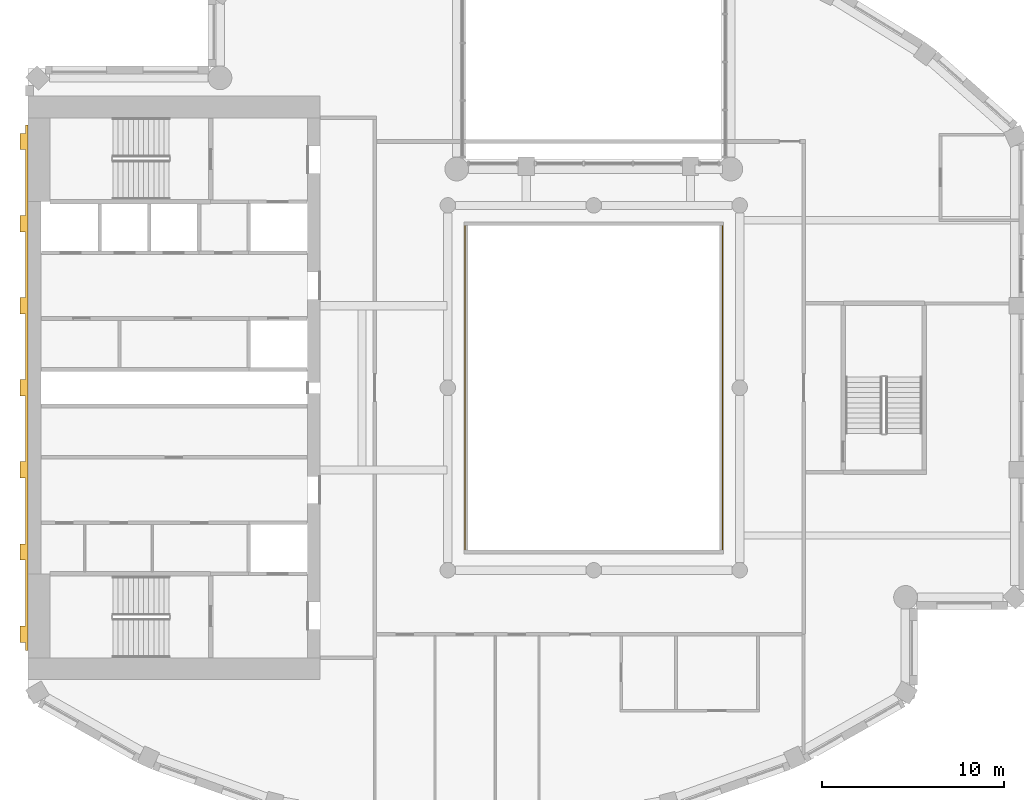
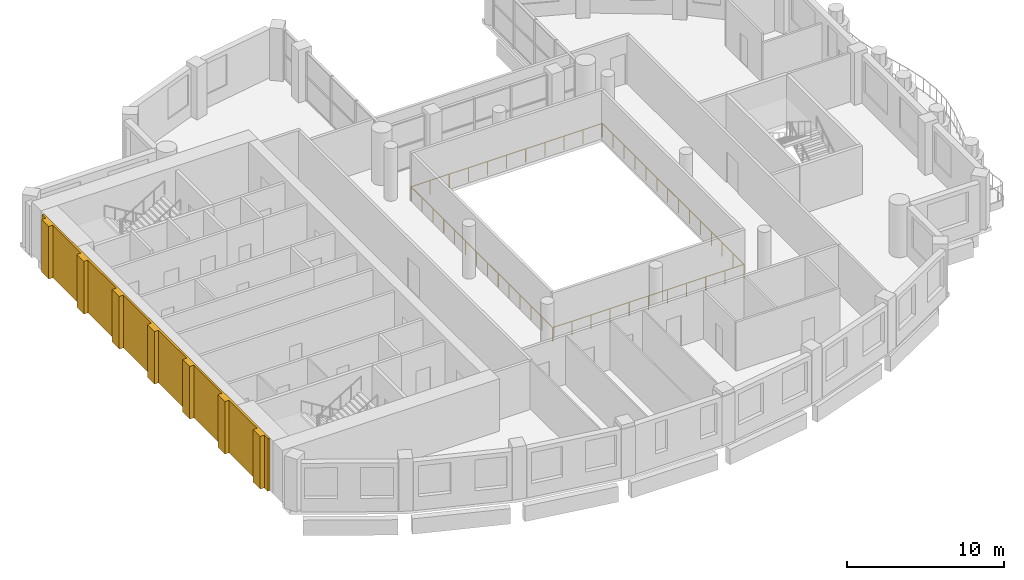
# One storey, part 11 of 14: 1 covering, 1 railing.
"""IFC4 building model written with IfcOpenShell, lengths in metres."""

from ifc_helpers import new_model, si_unit, direction, frame, origin, origin_2d, place, context, subcontext, project, spatial, polyline, rectangle, outline, extrude, material, layer, layer_set, type_object, element, save


model = new_model("IFC4")

# Units and contexts
model_context = context("Model", 3, precision=1e-05, world=origin(), true_north=direction((0.0, 1.0)))
body_context = subcontext(model_context, "Body", "Model", "MODEL_VIEW")
ifc_project = project(units=[si_unit("LENGTHUNIT", "METRE"), si_unit("AREAUNIT", "SQUARE_METRE"), si_unit("VOLUMEUNIT", "CUBIC_METRE"), si_unit("PLANEANGLEUNIT", "RADIAN"), si_unit("MASSUNIT", "GRAM", prefix="KILO")], contexts=[model_context])

# Site, building, storey
site_placement = place(None, origin())
site = spatial("IfcSite", under=ifc_project, at=site_placement, CompositionType="ELEMENT")
building_placement = place(site_placement, origin())
building = spatial("IfcBuilding", under=site, at=building_placement, Name="Cypress Arch Tower", CompositionType="ELEMENT")
storey_placement = place(building_placement, frame((0.0, 0.0, 255.699951171875)))
storey = spatial("IfcBuildingStorey", under=building, at=storey_placement, Name="L57", CompositionType="ELEMENT", Elevation=255.699951171875)

# Railing
ifc_material_1 = material(Name="Stainless steel posts and handrail, laminated glass infill", Category="steel")
railing_type = type_object("IfcRailingType", Name="Atrium guard GR1100A", PredefinedType="GUARDRAIL", material=ifc_material_1)
railing_placement = place(storey_placement, frame((8.050048828125, -9.050048828125, 0.0)))
element("IfcRailing", 1, at=railing_placement, inside=storey, type_object=railing_type, Name="Atrium guard L57", PredefinedType="GUARDRAIL", context=body_context, shape_type="SweptSolid", body=[
    extrude(rectangle(XDim=0.050048828125, YDim=0.050048828125, at=origin_2d()), frame((0.0, 0.0, 1.0751953125), z_axis=(-1.0, 0.0, 0.0), x_axis=(0.0, -1.0, 0.0)), (0.0, 0.0, 1.0), 14.10009765625),
    extrude(rectangle(XDim=0.050048828125, YDim=0.050048828125, at=origin_2d()), frame((-14.10009765625, 0.0, 1.0751953125), z_axis=(0.0, 1.0, 0.0), x_axis=(-1.0, 0.0, 0.0)), (0.0, 0.0, 1.0), 18.10009765625),
    extrude(rectangle(XDim=0.050048828125, YDim=0.050048828125, at=origin_2d()), frame((-14.10009765625, 18.10009765625, 1.0751953125), z_axis=(1.0, 0.0, 0.0), x_axis=(0.0, 1.0, 0.0)), (0.0, 0.0, 1.0), 14.10009765625),
    extrude(rectangle(XDim=0.050048828125, YDim=0.050048828125, at=origin_2d()), frame((0.0, 18.10009765625, 1.0751953125), z_axis=(0.0, -1.0, 0.0), x_axis=(1.0, 0.0, 0.0)), (0.0, 0.0, 1.0), 18.10009765625),
    extrude(rectangle(XDim=0.050048828125, YDim=0.050048828125, at=origin_2d()), origin(), (0.0, 0.0, 1.0), 1.050048828125),
    extrude(rectangle(XDim=0.050048828125, YDim=0.050048828125, at=origin_2d()), frame((-1.409912109375, 0.0, 0.0)), (0.0, 0.0, 1.0), 1.050048828125),
    extrude(rectangle(XDim=0.050048828125, YDim=0.050048828125, at=origin_2d()), frame((-2.820068359375, 0.0, 0.0)), (0.0, 0.0, 1.0), 1.050048828125),
    extrude(rectangle(XDim=0.050048828125, YDim=0.050048828125, at=origin_2d()), frame((-4.22998046875, 0.0, 0.0)), (0.0, 0.0, 1.0), 1.050048828125),
    extrude(rectangle(XDim=0.050048828125, YDim=0.050048828125, at=origin_2d()), frame((-5.64013671875, 0.0, 0.0)), (0.0, 0.0, 1.0), 1.050048828125),
    extrude(rectangle(XDim=0.050048828125, YDim=0.050048828125, at=origin_2d()), frame((-7.050048828125, 0.0, 0.0)), (0.0, 0.0, 1.0), 1.050048828125),
    extrude(rectangle(XDim=0.050048828125, YDim=0.050048828125, at=origin_2d()), frame((-8.4599609375, 0.0, 0.0)), (0.0, 0.0, 1.0), 1.050048828125),
    extrude(rectangle(XDim=0.050048828125, YDim=0.050048828125, at=origin_2d()), frame((-9.8701171875, 0.0, 0.0)), (0.0, 0.0, 1.0), 1.050048828125),
    extrude(rectangle(XDim=0.050048828125, YDim=0.050048828125, at=origin_2d()), frame((-11.280029296875, 0.0, 0.0)), (0.0, 0.0, 1.0), 1.050048828125),
    extrude(rectangle(XDim=0.050048828125, YDim=0.050048828125, at=origin_2d()), frame((-12.690185546875, 0.0, 0.0)), (0.0, 0.0, 1.0), 1.050048828125),
    extrude(rectangle(XDim=0.050048828125, YDim=0.050048828125, at=origin_2d()), frame((-14.10009765625, 0.0, 0.0)), (0.0, 0.0, 1.0), 1.050048828125),
    extrude(rectangle(XDim=0.050048828125, YDim=0.050048828125, at=origin_2d()), frame((-14.10009765625, 1.392333984375, 0.0)), (0.0, 0.0, 1.0), 1.050048828125),
    extrude(rectangle(XDim=0.050048828125, YDim=0.050048828125, at=origin_2d()), frame((-14.10009765625, 2.78466796875, 0.0)), (0.0, 0.0, 1.0), 1.050048828125),
    extrude(rectangle(XDim=0.050048828125, YDim=0.050048828125, at=origin_2d()), frame((-14.10009765625, 4.177001953125, 0.0)), (0.0, 0.0, 1.0), 1.050048828125),
    extrude(rectangle(XDim=0.050048828125, YDim=0.050048828125, at=origin_2d()), frame((-14.10009765625, 5.5693359375, 0.0)), (0.0, 0.0, 1.0), 1.050048828125),
    extrude(rectangle(XDim=0.050048828125, YDim=0.050048828125, at=origin_2d()), frame((-14.10009765625, 6.961669921875, 0.0)), (0.0, 0.0, 1.0), 1.050048828125),
    extrude(rectangle(XDim=0.050048828125, YDim=0.050048828125, at=origin_2d()), frame((-14.10009765625, 8.35400390625, 0.0)), (0.0, 0.0, 1.0), 1.050048828125),
    extrude(rectangle(XDim=0.050048828125, YDim=0.050048828125, at=origin_2d()), frame((-14.10009765625, 9.74609375, 0.0)), (0.0, 0.0, 1.0), 1.050048828125),
    extrude(rectangle(XDim=0.050048828125, YDim=0.050048828125, at=origin_2d()), frame((-14.10009765625, 11.138427734375, 0.0)), (0.0, 0.0, 1.0), 1.050048828125),
    extrude(rectangle(XDim=0.050048828125, YDim=0.050048828125, at=origin_2d()), frame((-14.10009765625, 12.53076171875, 0.0)), (0.0, 0.0, 1.0), 1.050048828125),
    extrude(rectangle(XDim=0.050048828125, YDim=0.050048828125, at=origin_2d()), frame((-14.10009765625, 13.923095703125, 0.0)), (0.0, 0.0, 1.0), 1.050048828125),
    extrude(rectangle(XDim=0.050048828125, YDim=0.050048828125, at=origin_2d()), frame((-14.10009765625, 15.3154296875, 0.0)), (0.0, 0.0, 1.0), 1.050048828125),
    extrude(rectangle(XDim=0.050048828125, YDim=0.050048828125, at=origin_2d()), frame((-14.10009765625, 16.707763671875, 0.0)), (0.0, 0.0, 1.0), 1.050048828125),
    extrude(rectangle(XDim=0.050048828125, YDim=0.050048828125, at=origin_2d()), frame((-14.10009765625, 18.10009765625, 0.0)), (0.0, 0.0, 1.0), 1.050048828125),
    extrude(rectangle(XDim=0.050048828125, YDim=0.050048828125, at=origin_2d()), frame((-12.690185546875, 18.10009765625, 0.0)), (0.0, 0.0, 1.0), 1.050048828125),
    extrude(rectangle(XDim=0.050048828125, YDim=0.050048828125, at=origin_2d()), frame((-11.280029296875, 18.10009765625, 0.0)), (0.0, 0.0, 1.0), 1.050048828125),
    extrude(rectangle(XDim=0.050048828125, YDim=0.050048828125, at=origin_2d()), frame((-9.8701171875, 18.10009765625, 0.0)), (0.0, 0.0, 1.0), 1.050048828125),
    extrude(rectangle(XDim=0.050048828125, YDim=0.050048828125, at=origin_2d()), frame((-8.4599609375, 18.10009765625, 0.0)), (0.0, 0.0, 1.0), 1.050048828125),
    extrude(rectangle(XDim=0.050048828125, YDim=0.050048828125, at=origin_2d()), frame((-7.050048828125, 18.10009765625, 0.0)), (0.0, 0.0, 1.0), 1.050048828125),
    extrude(rectangle(XDim=0.050048828125, YDim=0.050048828125, at=origin_2d()), frame((-5.64013671875, 18.10009765625, 0.0)), (0.0, 0.0, 1.0), 1.050048828125),
    extrude(rectangle(XDim=0.050048828125, YDim=0.050048828125, at=origin_2d()), frame((-4.22998046875, 18.10009765625, 0.0)), (0.0, 0.0, 1.0), 1.050048828125),
    extrude(rectangle(XDim=0.050048828125, YDim=0.050048828125, at=origin_2d()), frame((-2.820068359375, 18.10009765625, 0.0)), (0.0, 0.0, 1.0), 1.050048828125),
    extrude(rectangle(XDim=0.050048828125, YDim=0.050048828125, at=origin_2d()), frame((-1.409912109375, 18.10009765625, 0.0)), (0.0, 0.0, 1.0), 1.050048828125),
    extrude(rectangle(XDim=0.050048828125, YDim=0.050048828125, at=origin_2d()), frame((0.0, 18.10009765625, 0.0)), (0.0, 0.0, 1.0), 1.050048828125),
    extrude(rectangle(XDim=0.050048828125, YDim=0.050048828125, at=origin_2d()), frame((0.0, 16.707763671875, 0.0)), (0.0, 0.0, 1.0), 1.050048828125),
    extrude(rectangle(XDim=0.050048828125, YDim=0.050048828125, at=origin_2d()), frame((0.0, 15.3154296875, 0.0)), (0.0, 0.0, 1.0), 1.050048828125),
    extrude(rectangle(XDim=0.050048828125, YDim=0.050048828125, at=origin_2d()), frame((0.0, 13.923095703125, 0.0)), (0.0, 0.0, 1.0), 1.050048828125),
    extrude(rectangle(XDim=0.050048828125, YDim=0.050048828125, at=origin_2d()), frame((0.0, 12.53076171875, 0.0)), (0.0, 0.0, 1.0), 1.050048828125),
    extrude(rectangle(XDim=0.050048828125, YDim=0.050048828125, at=origin_2d()), frame((0.0, 11.138427734375, 0.0)), (0.0, 0.0, 1.0), 1.050048828125),
    extrude(rectangle(XDim=0.050048828125, YDim=0.050048828125, at=origin_2d()), frame((0.0, 9.74609375, 0.0)), (0.0, 0.0, 1.0), 1.050048828125),
    extrude(rectangle(XDim=0.050048828125, YDim=0.050048828125, at=origin_2d()), frame((0.0, 8.35400390625, 0.0)), (0.0, 0.0, 1.0), 1.050048828125),
    extrude(rectangle(XDim=0.050048828125, YDim=0.050048828125, at=origin_2d()), frame((0.0, 6.961669921875, 0.0)), (0.0, 0.0, 1.0), 1.050048828125),
    extrude(rectangle(XDim=0.050048828125, YDim=0.050048828125, at=origin_2d()), frame((0.0, 5.5693359375, 0.0)), (0.0, 0.0, 1.0), 1.050048828125),
    extrude(rectangle(XDim=0.050048828125, YDim=0.050048828125, at=origin_2d()), frame((0.0, 4.177001953125, 0.0)), (0.0, 0.0, 1.0), 1.050048828125),
    extrude(rectangle(XDim=0.050048828125, YDim=0.050048828125, at=origin_2d()), frame((0.0, 2.78466796875, 0.0)), (0.0, 0.0, 1.0), 1.050048828125),
    extrude(rectangle(XDim=0.050048828125, YDim=0.050048828125, at=origin_2d()), frame((0.0, 1.392333984375, 0.0)), (0.0, 0.0, 1.0), 1.050048828125),
])

# Covering
ifc_material_2 = material(Name="Brick (red buff blend)", Category="masonry")
ifc_layer = layer(ifc_material_2, 0.449951171875)
ifc_layer_set = layer_set([ifc_layer], Name="West face brick piers WP450")
covering_type = type_object("IfcCoveringType", Name="West face brick piers WP450", PredefinedType="CLADDING", material=ifc_layer_set)
covering_placement = place(storey_placement, origin())
element("IfcCovering", 2, at=covering_placement, inside=storey, type_object=covering_type, Name="West face brick piers L57", PredefinedType="CLADDING", context=body_context, shape_type="SweptSolid", body=[
    extrude(outline(polyline([(-30.14990234375, -13.050048828125), (-30.14990234375, -9.449951171875), (-30.449951171875, -9.449951171875), (-30.449951171875, -8.550048828125), (-30.14990234375, -8.550048828125), (-30.14990234375, -4.949951171875), (-30.449951171875, -4.949951171875), (-30.449951171875, -4.050048828125), (-30.14990234375, -4.050048828125), (-30.14990234375, -0.449951171875), (-30.449951171875, -0.449951171875), (-30.449951171875, 0.449951171875), (-30.14990234375, 0.449951171875), (-30.14990234375, 4.050048828125), (-30.449951171875, 4.050048828125), (-30.449951171875, 4.949951171875), (-30.14990234375, 4.949951171875), (-30.14990234375, 8.550048828125), (-30.449951171875, 8.550048828125), (-30.449951171875, 9.449951171875), (-30.14990234375, 9.449951171875), (-30.14990234375, 13.050048828125), (-30.449951171875, 13.050048828125), (-30.449951171875, 13.949951171875), (-30.14990234375, 13.949951171875), (-30.14990234375, 14.39990234375), (-30.0, 14.39990234375), (-30.0, -14.39990234375), (-30.14990234375, -14.39990234375), (-30.14990234375, -13.949951171875), (-30.449951171875, -13.949951171875), (-30.449951171875, -13.050048828125), (-30.14990234375, -13.050048828125)])), origin(), (0.0, 0.0, 1.0), 4.10009765625),
])

save(model, "model.ifc")
